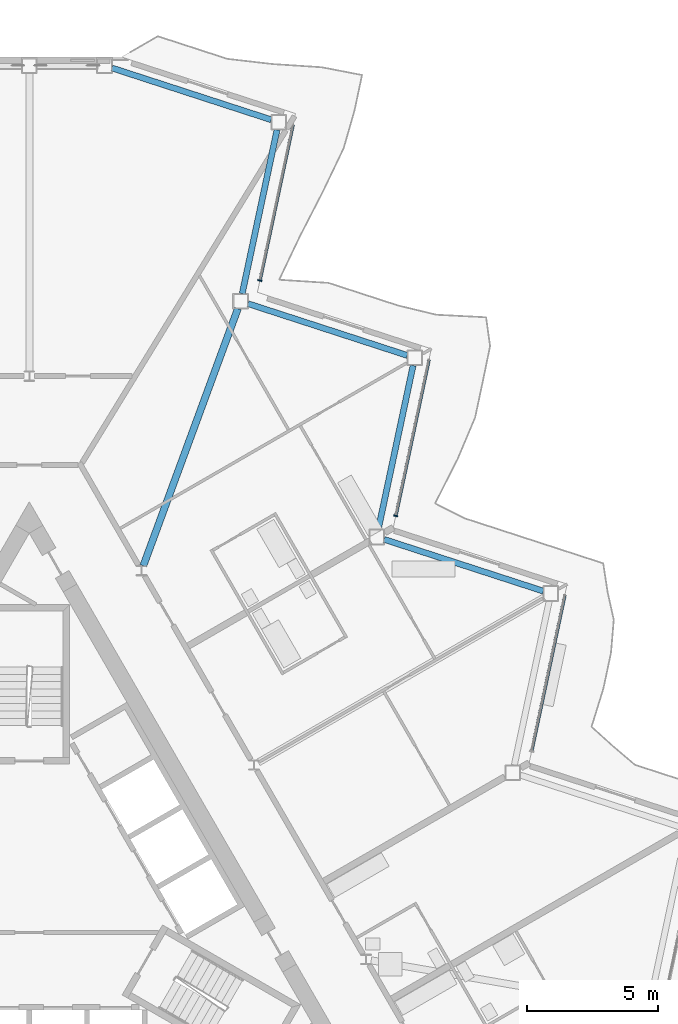
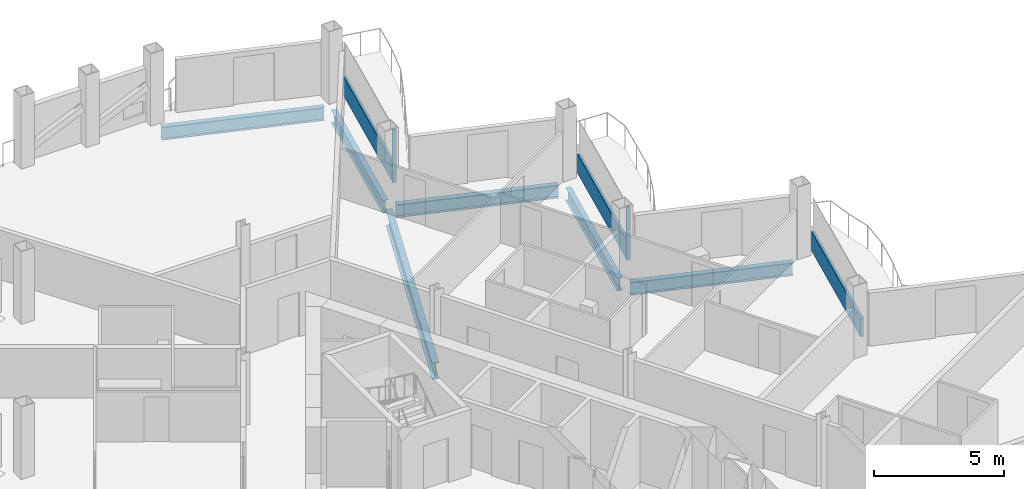
# One storey, part 11 of 28: 6 beams, 5 members, 3 elements without a shape of their own.
"""IFC4 building model written with IfcOpenShell, lengths in metres."""

from ifc_helpers import new_model, si_unit, direction, frame, origin, origin_2d, place, context, subcontext, project, spatial, rectangle, i_section, extrude, material, layer, layer_set, material_profile, profile_set, type_object, element, aggregate, save


model = new_model("IFC4")

# Units and contexts
model_context = context("Model", 3, precision=1e-05, world=origin(), true_north=direction((0.0, 1.0)))
body_context = subcontext(model_context, "Body", "Model", "MODEL_VIEW")
ifc_project = project(units=[si_unit("LENGTHUNIT", "METRE"), si_unit("AREAUNIT", "SQUARE_METRE"), si_unit("VOLUMEUNIT", "CUBIC_METRE"), si_unit("PLANEANGLEUNIT", "RADIAN"), si_unit("MASSUNIT", "GRAM", prefix="KILO")], contexts=[model_context])

# Site, building, storey
site_placement = place(None, origin())
site = spatial("IfcSite", under=ifc_project, at=site_placement, CompositionType="ELEMENT")
building_placement = place(site_placement, origin())
building = spatial("IfcBuilding", under=site, at=building_placement, Name="Cormorant Prow Tower", CompositionType="ELEMENT")
storey_placement = place(building_placement, frame((0.0, 0.0, 308.60009765625)))
storey = spatial("IfcBuildingStorey", under=building, at=storey_placement, Name="L67", CompositionType="ELEMENT", Elevation=308.60009765625)

# Beam
ifc_material_1 = material(Name="Structural steel ASTM A992 Gr 50", Category="steel")
ifc_material_profile_1 = material_profile(ifc_material_1, i_section(OverallWidth=0.267822265625, OverallDepth=0.77001953125, WebThickness=0.015625, FlangeThickness=0.025390625, at=origin_2d()), Name="W30x132")
ifc_profile_set_1 = profile_set([ifc_material_profile_1], Name="Structural steel ASTM A992 Gr 50")
beam_type_1 = type_object("IfcBeamType", Name="Radial floor beam W30x132", PredefinedType="BEAM", material=ifc_profile_set_1)
beam_1_placement = place(storey_placement, frame((4.357421875, 12.5673828125, -0.68505859375), z_axis=(0.345131226703, 0.938554439739, 0.0), x_axis=(-0.938554439739, 0.345131226703, 0.0)))
element("IfcBeam", 1, at=beam_1_placement, inside=storey, type_object=beam_type_1, Name="Radial floor beam FB3 12 L67", PredefinedType="BEAM", context=body_context, shape_type="SweptSolid", body=[
    extrude(i_section(OverallWidth=0.267822265625, OverallDepth=0.77001953125, WebThickness=0.015625, FlangeThickness=0.025390625, at=origin_2d()), origin(), (0.0, 0.0, 1.0), 10.465087890625),
])

# Curtain wall, member
ifc_material_2 = material(Name="Aluminium 6063-T6", Category="aluminium")
ifc_layer = layer(ifc_material_2, 0.159912109375)
ifc_layer_set = layer_set([ifc_layer], Name="Aluminium 6063-T6")
curtain_wall_type = type_object("IfcCurtainWallType", Name="Residential unitised curtain wall 160", PredefinedType="NOTDEFINED", material=ifc_layer_set)
curtain_wall_1_placement = place(storey_placement, origin())
curtain_wall_1 = element("IfcCurtainWall", 2, at=curtain_wall_1_placement, inside=storey, type_object=curtain_wall_type, Name="Residential curtain wall ENE06", PredefinedType="NOTDEFINED")
ifc_material_3 = material(Name="Aluminium 6063-T6", Category="aluminium")
ifc_material_profile_2 = material_profile(ifc_material_3, rectangle(XDim=0.159912109375, YDim=0.050048828125, at=origin_2d()), Name="Residential mullion 50x160")
ifc_profile_set_2 = profile_set([ifc_material_profile_2], Name="Aluminium 6063-T6")
member_type_1 = type_object("IfcMemberType", Name="Residential mullion 50x160", PredefinedType="MULLION", material=ifc_profile_set_2)
member_1_placement = place(storey_placement, frame((14.001953125, 14.471923828125, 0.0), z_axis=(0.0, 0.0, 1.0), x_axis=(-0.978147600523, 0.207911691808, 0.0)))
member_1 = element("IfcMember", 3, at=member_1_placement, type_object=member_type_1, Name="Residential mullion ENE06", PredefinedType="MULLION", context=body_context, shape_type="SweptSolid", body=[
    extrude(rectangle(XDim=0.159912109375, YDim=0.050048828125, at=origin_2d()), origin(), (0.0, 0.0, 1.0), 2.48779296875),
])

curtain_wall_2_placement = place(storey_placement, origin())
curtain_wall_2 = element("IfcCurtainWall", 4, at=curtain_wall_2_placement, inside=storey, type_object=curtain_wall_type, Name="Residential curtain wall ENE08", PredefinedType="NOTDEFINED")
member_2_placement = place(storey_placement, frame((8.81103515625, 23.462890625, 0.0), z_axis=(0.0, 0.0, 1.0), x_axis=(-0.978147606714, 0.207911662683, 0.0)))
member_2 = element("IfcMember", 5, at=member_2_placement, type_object=member_type_1, Name="Residential mullion ENE08", PredefinedType="MULLION", context=body_context, shape_type="SweptSolid", body=[
    extrude(rectangle(XDim=0.159912109375, YDim=0.050048828125, at=origin_2d()), origin(), (0.0, 0.0, 1.0), 2.48779296875),
])

curtain_wall_3_placement = place(storey_placement, origin())
curtain_wall_3 = element("IfcCurtainWall", 6, at=curtain_wall_3_placement, inside=storey, type_object=curtain_wall_type, Name="Residential curtain wall ENE04", PredefinedType="NOTDEFINED")
ifc_material_4 = material(Name="Terracotta", Category="masonry")
ifc_material_profile_3 = material_profile(ifc_material_4, rectangle(XDim=0.1201171875, YDim=0.89990234375, at=origin_2d()), Name="Residential terracotta spandrel rail 120x900")
ifc_profile_set_3 = profile_set([ifc_material_profile_3], Name="Terracotta")
member_type_2 = type_object("IfcMemberType", Name="Residential terracotta spandrel rail 120x900", PredefinedType="USERDEFINED", material=ifc_profile_set_3)
member_3_placement = place(storey_placement, frame((19.1982421875, 5.50537109375, 0.449951171875), z_axis=(0.207918432162, 0.978146167793, 0.0), x_axis=(-0.978146167793, 0.207918432162, 0.0)))
member_3 = element("IfcMember", 7, at=member_3_placement, type_object=member_type_2, Name="Residential spandrel rail ENE04", ObjectType="TRANSOM", PredefinedType="USERDEFINED", context=body_context, shape_type="SweptSolid", body=[
    extrude(rectangle(XDim=0.1201171875, YDim=0.89990234375, at=origin_2d()), origin(), (0.0, 0.0, 1.0), 6.067138671875),
])
aggregate(curtain_wall_3, [member_3])

# Member
member_4_placement = place(storey_placement, frame((14.00732421875, 14.496337890625, 0.449951171875), z_axis=(0.207879931562, 0.978154350833, 0.0), x_axis=(-0.978154350833, 0.207879931562, 0.0)))
member_4 = element("IfcMember", 8, at=member_4_placement, type_object=member_type_2, Name="Residential spandrel rail ENE06", ObjectType="TRANSOM", PredefinedType="USERDEFINED", context=body_context, shape_type="SweptSolid", body=[
    extrude(rectangle(XDim=0.1201171875, YDim=0.89990234375, at=origin_2d()), origin(), (0.0, 0.0, 1.0), 6.067138671875),
])

aggregate(curtain_wall_1, [member_1, member_4])

member_5_placement = place(storey_placement, frame((8.81640625, 23.4873046875, 0.449951171875), z_axis=(0.207879931562, 0.978154350833, 0.0), x_axis=(-0.978154350833, 0.207879931562, 0.0)))
member_5 = element("IfcMember", 9, at=member_5_placement, type_object=member_type_2, Name="Residential spandrel rail ENE08", ObjectType="TRANSOM", PredefinedType="USERDEFINED", context=body_context, shape_type="SweptSolid", body=[
    extrude(rectangle(XDim=0.1201171875, YDim=0.89990234375, at=origin_2d()), origin(), (0.0, 0.0, 1.0), 6.067138671875),
])

aggregate(curtain_wall_2, [member_2, member_5])

# Beams
ifc_material_5 = material(Name="Structural steel ASTM A992 Gr 50", Category="steel")
ifc_material_profile_4 = material_profile(ifc_material_5, i_section(OverallWidth=0.22900390625, OverallDepth=0.612060546875, WebThickness=0.011962890625, FlangeThickness=0.01953125, at=origin_2d()), Name="W24x84")
ifc_profile_set_4 = profile_set([ifc_material_profile_4], Name="Structural steel ASTM A992 Gr 50")
beam_type_2 = type_object("IfcBeamType", Name="Spandrel beam W24x84", PredefinedType="SPANDREL", material=ifc_profile_set_4)
for number, where, z_axis, x_axis, name in (
    (10, (19.640380859375, 11.5966796875, -0.606201171875), (-0.95105314132, 0.309027381286, 0.0), (-0.309027381286, -0.95105314132, 0.0), "Spandrel beam SB3 ENE05-ENE06 L67"),
    (11, (13.334228515625, 13.95947265625, -0.606201171875), (0.207920386839, 0.978145752297, 0.0), (-0.978145752297, 0.207920386839, 0.0), "Spandrel beam SB3 ENE06-ENE07 L67"),
    (12, (14.441162109375, 20.601806640625, -0.606201171875), (-0.95105314132, 0.309027381286, 0.0), (-0.309027381286, -0.95105314132, 0.0), "Spandrel beam SB3 ENE07-ENE08 L67"),
):
    element("IfcBeam", number, at=place(storey_placement, frame(where, z_axis=z_axis, x_axis=x_axis)), inside=storey, type_object=beam_type_2, Name=name, PredefinedType="SPANDREL", context=body_context, shape_type="SweptSolid", body=[
        extrude(i_section(OverallWidth=0.22900390625, OverallDepth=0.612060546875, WebThickness=0.011962890625, FlangeThickness=0.01953125, at=origin_2d()), origin(), (0.0, 0.0, 1.0), 6.39599609375),
    ])
beam_2_placement = place(storey_placement, frame((8.13525390625, 22.96435546875, -0.606201171875), z_axis=(0.20791262393, 0.978147402394, 0.0), x_axis=(-0.978147402394, 0.20791262393, 0.0)))
element("IfcBeam", 13, at=beam_2_placement, inside=storey, type_object=beam_type_2, Name="Spandrel beam SB3 ENE08-ENE09 L67", PredefinedType="SPANDREL", context=body_context, shape_type="SweptSolid", body=[
    extrude(i_section(OverallWidth=0.22900390625, OverallDepth=0.612060546875, WebThickness=0.011962890625, FlangeThickness=0.01953125, at=origin_2d()), origin(), (0.0, 0.0, 1.0), 6.396240234375),
])
beam_3_placement = place(storey_placement, frame((9.2421875, 29.60693359375, -0.606201171875), z_axis=(-0.951064359156, 0.308992855489, 0.0), x_axis=(-0.308992855489, -0.951064359156, 0.0)))
element("IfcBeam", 14, at=beam_3_placement, inside=storey, type_object=beam_type_2, Name="Spandrel beam SB3 ENE09-N00 L67", PredefinedType="SPANDREL", context=body_context, shape_type="SweptSolid", body=[
    extrude(i_section(OverallWidth=0.22900390625, OverallDepth=0.612060546875, WebThickness=0.011962890625, FlangeThickness=0.01953125, at=origin_2d()), origin(), (0.0, 0.0, 1.0), 6.39599609375),
])

save(model, "model.ifc")
